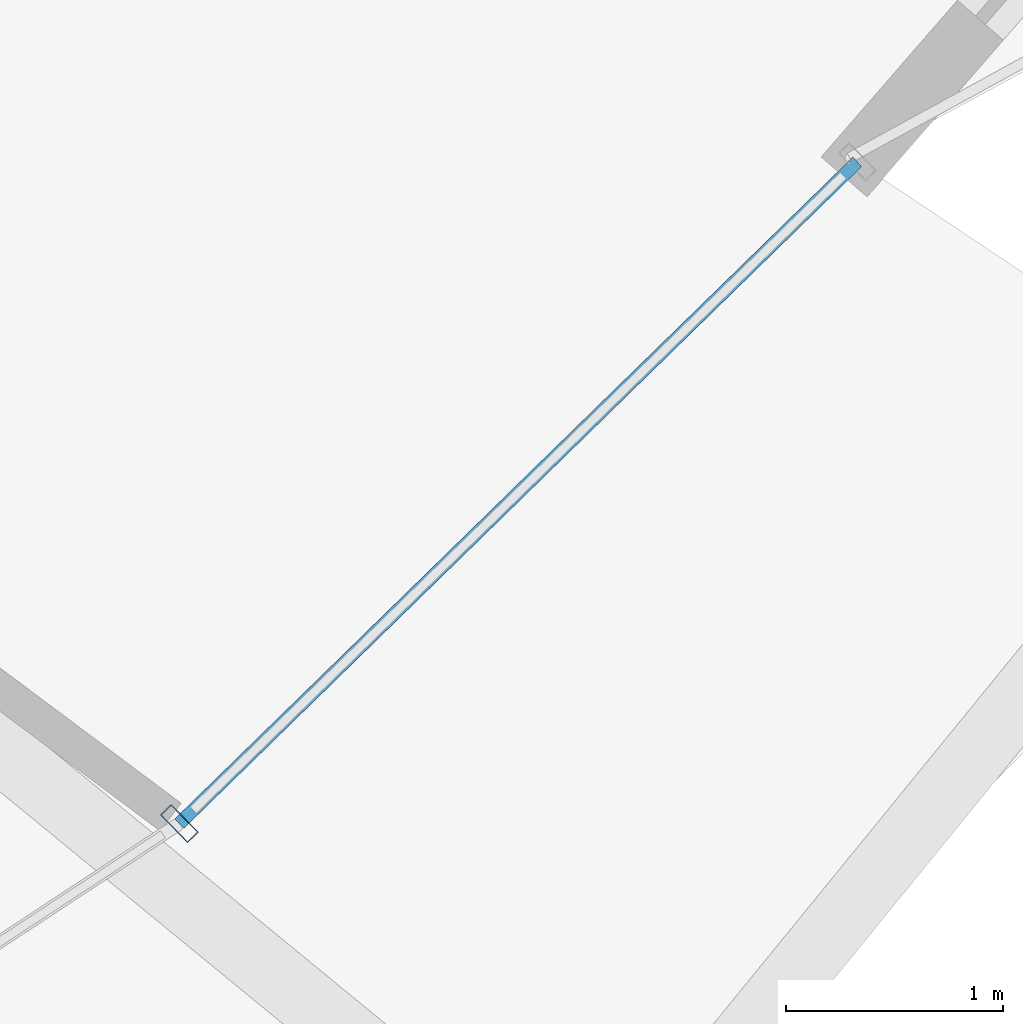
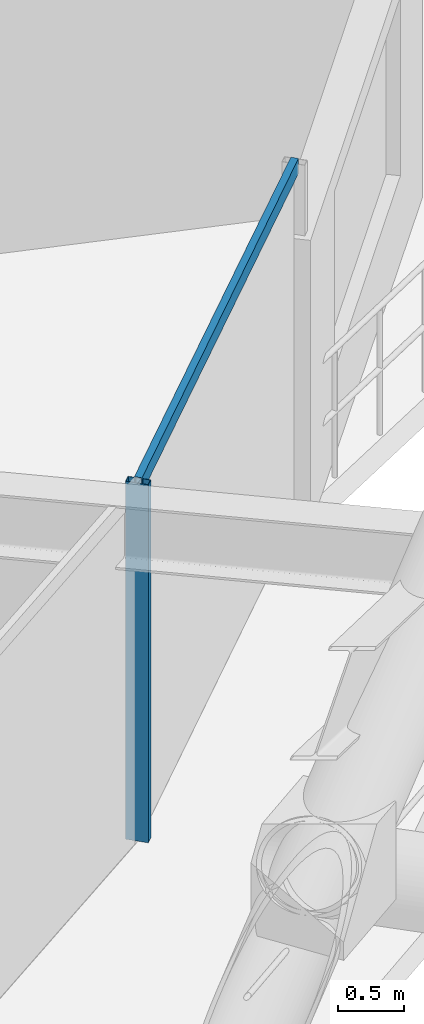
# One storey, part 8 of 19: 2 members, 1 element without a shape of its own.
"""IFC4 building model written with IfcOpenShell, lengths in metres."""

from ifc_helpers import new_model, si_unit, direction, frame, origin, origin_2d, place, context, subcontext, project, spatial, hollow_rectangle, extrude, material, layer, layer_set, material_profile, profile_set, type_object, element, aggregate, save


model = new_model("IFC4")

# Units and contexts
model_context = context("Model", 3, precision=1e-05, world=origin(), true_north=direction((0.0, 1.0)))
body_context = subcontext(model_context, "Body", "Model", "MODEL_VIEW")
ifc_project = project(units=[si_unit("LENGTHUNIT", "METRE"), si_unit("AREAUNIT", "SQUARE_METRE"), si_unit("VOLUMEUNIT", "CUBIC_METRE"), si_unit("PLANEANGLEUNIT", "RADIAN"), si_unit("MASSUNIT", "GRAM", prefix="KILO")], contexts=[model_context])

# Site, building, storey
site_placement = place(None, origin())
site = spatial("IfcSite", under=ifc_project, at=site_placement, CompositionType="ELEMENT")
building_placement = place(site_placement, origin())
building = spatial("IfcBuilding", under=site, at=building_placement, Name="Veldorina Hangang Commons", CompositionType="ELEMENT")
storey_placement = place(building_placement, frame((0.0, 0.0, 34.0)))
storey = spatial("IfcBuildingStorey", under=building, at=storey_placement, Name="L07", CompositionType="ELEMENT", Elevation=34.0)

# Curtain wall, members
ifc_material_1 = material(Name="Glass Low-E Triple IGU", Category="glass")
ifc_layer = layer(ifc_material_1, 0.179931640625)
ifc_layer_set = layer_set([ifc_layer], Name="Glass Low-E Triple IGU")
curtain_wall_type = type_object("IfcCurtainWallType", Name="CW-SYS-Z1", PredefinedType="NOTDEFINED", material=ifc_layer_set)
curtain_wall_placement = place(storey_placement, origin())
curtain_wall = element("IfcCurtainWall", 1, at=curtain_wall_placement, inside=storey, type_object=curtain_wall_type, Name="L07 unitised curtain wall CW-L07-R2", PredefinedType="NOTDEFINED")
ifc_material_2 = material(Name="Aluminium Anodized AA6063-T6", Category="aluminium")
ifc_material_profile_1 = material_profile(ifc_material_2, hollow_rectangle(XDim=0.070068359375, YDim=0.179931640625, WallThickness=0.00390625, at=origin_2d()), Name="ALU-RHS-180x70x4")
ifc_profile_set_1 = profile_set([ifc_material_profile_1], Name="Aluminium Anodized AA6063-T6")
member_type_1 = type_object("IfcMemberType", Name="CW-MUL-180", PredefinedType="MULLION", material=ifc_profile_set_1)
member_1_placement = place(storey_placement, frame((49.7822265625, 9.75341796875, 0.0), z_axis=(0.0, 0.0, 1.0), x_axis=(0.715558634406, 0.6985526757, 0.0)))
member_1 = element("IfcMember", 2, at=member_1_placement, type_object=member_type_1, Name="CW-L07-R2 vertical mullion 3", PredefinedType="MULLION", context=body_context, shape_type="SweptSolid", body=[
    extrude(hollow_rectangle(XDim=0.070068359375, YDim=0.179931640625, WallThickness=0.00390625, at=origin_2d()), origin(), (0.0, 0.0, 1.0), 3.300048828125),
])
ifc_material_profile_2 = material_profile(ifc_material_2, hollow_rectangle(XDim=0.06005859375, YDim=0.139892578125, WallThickness=0.00341796875, at=origin_2d()), Name="ALU-RHS-140x60x3.5")
ifc_profile_set_2 = profile_set([ifc_material_profile_2], Name="Aluminium Anodized AA6063-T6")
member_type_2 = type_object("IfcMemberType", Name="CW-TRN-140", PredefinedType="USERDEFINED", material=ifc_profile_set_2)
member_2_placement = place(storey_placement, frame((49.7822265625, 9.75341796875, 3.260009765625), z_axis=(0.715574205881, 0.698536724788, 0.0), x_axis=(-0.698536724788, 0.715574205881, 0.0)))
member_2 = element("IfcMember", 3, at=member_2_placement, type_object=member_type_2, Name="CW-L07-R2 facet 5 transom 1", ObjectType="TRANSOM", PredefinedType="USERDEFINED", context=body_context, shape_type="SweptSolid", body=[
    extrude(hollow_rectangle(XDim=0.06005859375, YDim=0.139892578125, WallThickness=0.00341796875, at=origin_2d()), origin(), (0.0, 0.0, 1.0), 4.37060546875),
])
aggregate(curtain_wall, [member_1, member_2])

save(model, "model.ifc")
